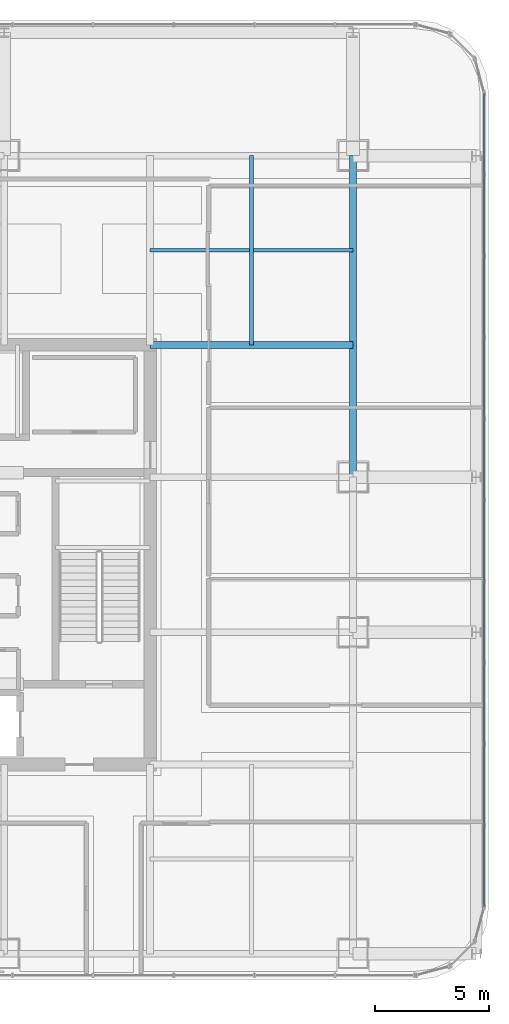
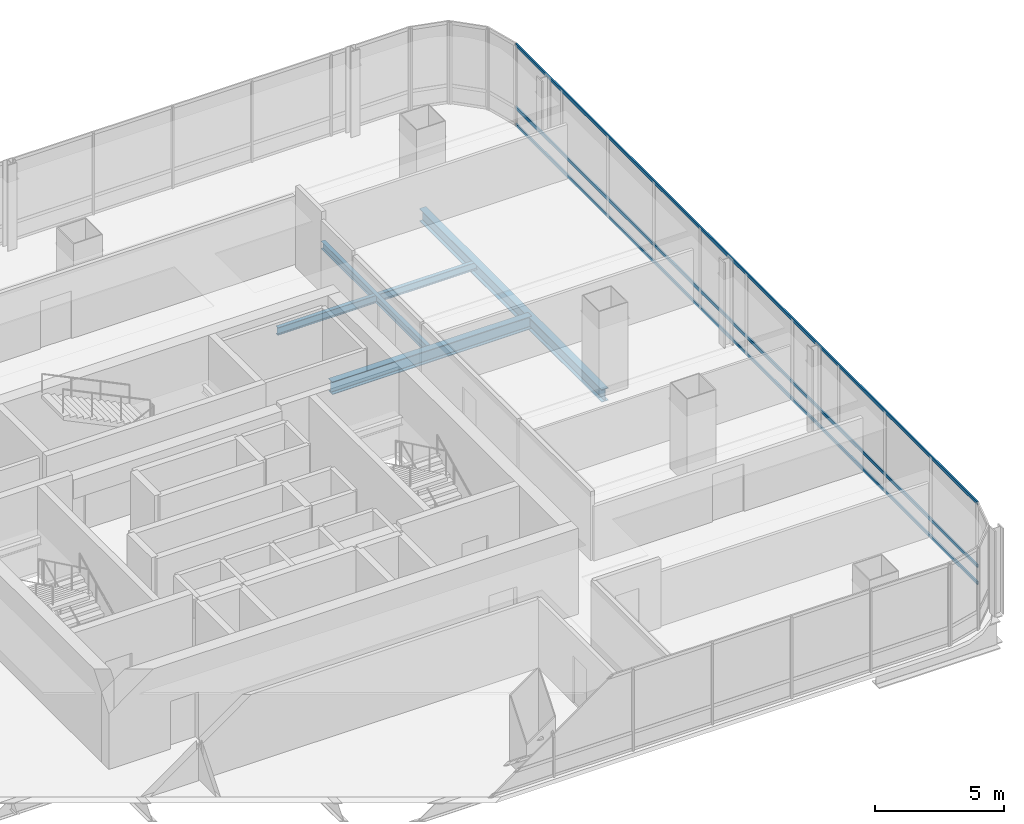
# One storey, part 20 of 42: 4 beams, 3 members, 1 element without a shape of its own.
"""IFC4 building model written with IfcOpenShell, lengths in metres."""

from ifc_helpers import new_model, si_unit, direction, frame, origin, origin_2d, place, context, subcontext, project, spatial, hollow_rectangle, i_section, extrude, material, material_profile, profile_set, type_object, element, aggregate, save


model = new_model("IFC4")

# Units and contexts
model_context = context("Model", 3, precision=1e-05, world=origin(), true_north=direction((0.0, 1.0)))
body_context = subcontext(model_context, "Body", "Model", "MODEL_VIEW")
ifc_project = project(units=[si_unit("LENGTHUNIT", "METRE"), si_unit("AREAUNIT", "SQUARE_METRE"), si_unit("VOLUMEUNIT", "CUBIC_METRE"), si_unit("PLANEANGLEUNIT", "RADIAN"), si_unit("MASSUNIT", "GRAM", prefix="KILO")], contexts=[model_context])

# Site, building, storey
site_placement = place(None, origin())
site = spatial("IfcSite", under=ifc_project, at=site_placement, CompositionType="ELEMENT")
building_placement = place(site_placement, origin())
building = spatial("IfcBuilding", under=site, at=building_placement, Name="Punatoya Terracotta Tower", CompositionType="ELEMENT")
storey_placement = place(building_placement, frame((0.0, 0.0, 263.550048828125)))
storey = spatial("IfcBuildingStorey", under=building, at=storey_placement, Name="L62", CompositionType="ELEMENT", Elevation=263.550048828125)

# Beams
ifc_material_1 = material(Name="Steel S355", Category="steel")
ifc_material_profile_1 = material_profile(ifc_material_1, i_section(OverallWidth=0.300048828125, OverallDepth=0.60009765625, WebThickness=0.015380859375, FlangeThickness=0.030029296875, FilletRadius=0.01806640625, at=origin_2d()))
ifc_profile_set_1 = profile_set([ifc_material_profile_1], Name="Steel S355")
beam_type_1 = type_object("IfcBeamType", Name="BM-PRI-600", PredefinedType="BEAM", material=ifc_profile_set_1)
beam_1_placement = place(storey_placement, frame((19.10009765625, 3.39990234375, -0.5), z_axis=(0.0, 1.0, 0.0), x_axis=(-1.0, 0.0, 0.0)))
element("IfcBeam", 1, at=beam_1_placement, inside=storey, type_object=beam_type_1, Name="BM-L62-RG-E3", PredefinedType="BEAM", context=body_context, shape_type="SweptSolid", body=[
    extrude(i_section(OverallWidth=0.300048828125, OverallDepth=0.60009765625, WebThickness=0.015380859375, FlangeThickness=0.030029296875, FilletRadius=0.01806640625, at=origin_2d()), origin(), (0.0, 0.0, 1.0), 14.10009765625),
])
beam_2_placement = place(storey_placement, frame((10.199951171875, 9.199951171875, -0.5), z_axis=(1.0, 0.0, 0.0), x_axis=(0.0, 1.0, 0.0)))
element("IfcBeam", 2, at=beam_2_placement, inside=storey, type_object=beam_type_1, Name="BM-L62-PR-EN", PredefinedType="BEAM", context=body_context, shape_type="SweptSolid", body=[
    extrude(i_section(OverallWidth=0.300048828125, OverallDepth=0.60009765625, WebThickness=0.015380859375, FlangeThickness=0.030029296875, FilletRadius=0.01806640625, at=origin_2d()), origin(), (0.0, 0.0, 1.0), 8.900146484375),
])
ifc_material_profile_2 = material_profile(ifc_material_1, i_section(OverallWidth=0.169921875, OverallDepth=0.360107421875, WebThickness=0.008056640625, FlangeThickness=0.0126953125, FilletRadius=0.01806640625, at=origin_2d()))
ifc_profile_set_2 = profile_set([ifc_material_profile_2], Name="Steel S355")
beam_type_2 = type_object("IfcBeamType", Name="BM-SEC-360", PredefinedType="JOIST", material=ifc_profile_set_2)
beam_3_placement = place(storey_placement, frame((10.199951171875, 13.35009765625, -0.380126953125), z_axis=(1.0, 0.0, 0.0), x_axis=(0.0, 1.0, 0.0)))
element("IfcBeam", 3, at=beam_3_placement, inside=storey, type_object=beam_type_2, Name="BM-L62-SJN-2", PredefinedType="JOIST", context=body_context, shape_type="SweptSolid", body=[
    extrude(i_section(OverallWidth=0.169921875, OverallDepth=0.360107421875, WebThickness=0.008056640625, FlangeThickness=0.0126953125, FilletRadius=0.01806640625, at=origin_2d()), origin(), (0.0, 0.0, 1.0), 8.900146484375),
])
beam_4_placement = place(storey_placement, frame((14.64990234375, 9.199951171875, -0.380126953125), z_axis=(0.0, 1.0, 0.0), x_axis=(-1.0, 0.0, 0.0)))
element("IfcBeam", 4, at=beam_4_placement, inside=storey, type_object=beam_type_2, Name="BM-L62-SJE-2", PredefinedType="JOIST", context=body_context, shape_type="SweptSolid", body=[
    extrude(i_section(OverallWidth=0.169921875, OverallDepth=0.360107421875, WebThickness=0.008056640625, FlangeThickness=0.0126953125, FilletRadius=0.01806640625, at=origin_2d()), origin(), (0.0, 0.0, 1.0), 8.300048828125),
])

# Curtain wall, members
ifc_material_2 = material(Name="Aluminium 6063-T6 + Double Low-E Glass", Category="aluminium")
curtain_wall_type = type_object("IfcCurtainWallType", Name="CW-M3", PredefinedType="NOTDEFINED", material=ifc_material_2)
curtain_wall_placement = place(storey_placement, origin())
curtain_wall = element("IfcCurtainWall", 5, at=curtain_wall_placement, inside=storey, type_object=curtain_wall_type, Name="L62 Curtain Wall CW-L62-E05-1", PredefinedType="NOTDEFINED")
ifc_material_3 = material(Name="Aluminium 6063-T6", Category="aluminium")
ifc_material_profile_3 = material_profile(ifc_material_3, hollow_rectangle(XDim=0.068115234375, YDim=0.14990234375, WallThickness=0.00390625, at=origin_2d()))
ifc_profile_set_3 = profile_set([ifc_material_profile_3], Name="Aluminium 6063-T6")
member_type = type_object("IfcMemberType", Name="CW-TRN-TYP", PredefinedType="USERDEFINED", material=ifc_profile_set_3)
member_1_placement = place(storey_placement, frame((24.85009765625, -15.43701171875, 0.0400390625), z_axis=(0.0, 1.0, 0.0), x_axis=(-1.0, 0.0, 0.0)))
member_1 = element("IfcMember", 6, at=member_1_placement, type_object=member_type, Name="CW-L62-E05-1 Transom 1", ObjectType="TRANSOM", PredefinedType="USERDEFINED", context=body_context, shape_type="SweptSolid", body=[
    extrude(hollow_rectangle(XDim=0.068115234375, YDim=0.14990234375, WallThickness=0.00390625, at=origin_2d()), origin(), (0.0, 0.0, 1.0), 35.673828125),
])
member_2_placement = place(storey_placement, frame((24.85009765625, -15.43701171875, 0.849853515625), z_axis=(0.0, 1.0, 0.0), x_axis=(-1.0, 0.0, 0.0)))
member_2 = element("IfcMember", 7, at=member_2_placement, type_object=member_type, Name="CW-L62-E05-1 Transom 2", ObjectType="TRANSOM", PredefinedType="USERDEFINED", context=body_context, shape_type="SweptSolid", body=[
    extrude(hollow_rectangle(XDim=0.068115234375, YDim=0.14990234375, WallThickness=0.00390625, at=origin_2d()), origin(), (0.0, 0.0, 1.0), 35.673828125),
])
member_3_placement = place(storey_placement, frame((24.85009765625, -15.43701171875, 3.81005859375), z_axis=(0.0, 1.0, 0.0), x_axis=(-1.0, 0.0, 0.0)))
member_3 = element("IfcMember", 8, at=member_3_placement, type_object=member_type, Name="CW-L62-E05-1 Transom 3", ObjectType="TRANSOM", PredefinedType="USERDEFINED", context=body_context, shape_type="SweptSolid", body=[
    extrude(hollow_rectangle(XDim=0.068115234375, YDim=0.14990234375, WallThickness=0.00390625, at=origin_2d()), origin(), (0.0, 0.0, 1.0), 35.673828125),
])
aggregate(curtain_wall, [member_1, member_2, member_3])

save(model, "model.ifc")
